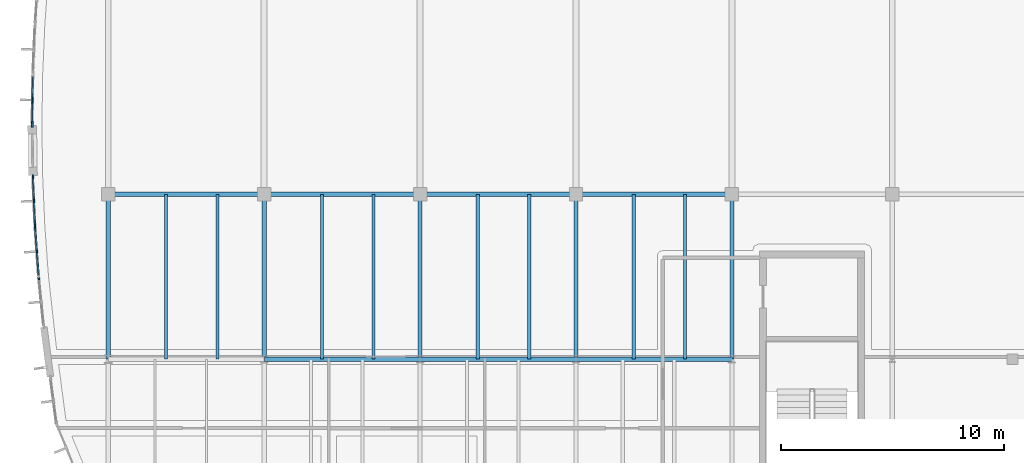
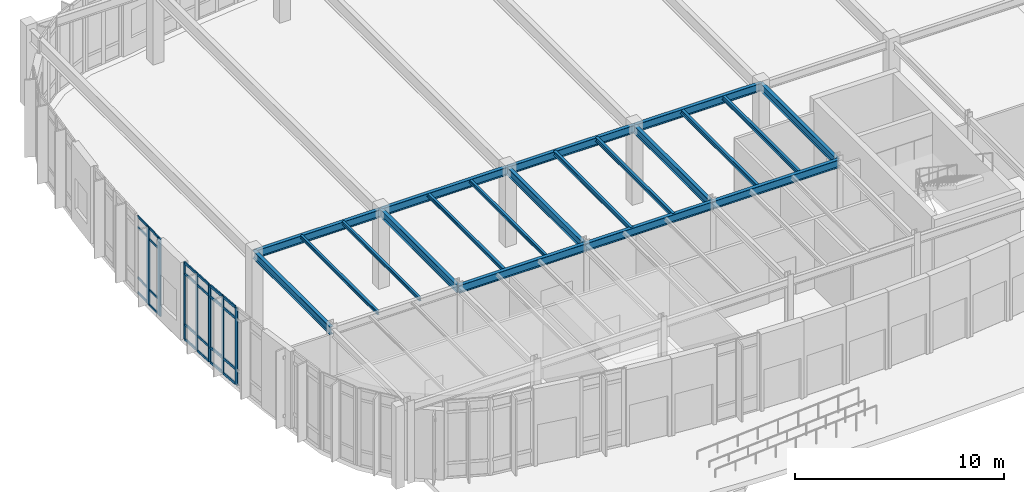
# One storey, part 40 of 120: 32 members, 20 beams, 4 elements without a shape of their own.
"""IFC4 building model written with IfcOpenShell, lengths in metres."""

from ifc_helpers import new_model, si_unit, direction, frame, origin, origin_2d, place, context, subcontext, project, spatial, rectangle, i_section, extrude, material, material_profile, profile_set, type_object, element, aggregate, save


model = new_model("IFC4")

# Units and contexts
model_context = context("Model", 3, precision=1e-05, world=origin(), true_north=direction((0.0, 1.0)))
body_context = subcontext(model_context, "Body", "Model", "MODEL_VIEW")
ifc_project = project(units=[si_unit("LENGTHUNIT", "METRE"), si_unit("AREAUNIT", "SQUARE_METRE"), si_unit("VOLUMEUNIT", "CUBIC_METRE"), si_unit("PLANEANGLEUNIT", "RADIAN"), si_unit("MASSUNIT", "GRAM", prefix="KILO")], contexts=[model_context])

# Site, building, storey
site_placement = place(None, origin())
site = spatial("IfcSite", under=ifc_project, at=site_placement, CompositionType="ELEMENT")
building_placement = place(site_placement, origin())
building = spatial("IfcBuilding", under=site, at=building_placement, Name="Corveleigh Park Community Centre", CompositionType="ELEMENT")
storey_placement = place(building_placement, origin())
storey = spatial("IfcBuildingStorey", under=building, at=storey_placement, Name="L00", CompositionType="ELEMENT", Elevation=0.0)

# Beams
ifc_material_1 = material(Name="Steel S355", Category="steel")
ifc_material_profile_1 = material_profile(ifc_material_1, i_section(OverallWidth=0.13330078125, OverallDepth=0.203125, WebThickness=0.005615234375, FlangeThickness=0.0078125, at=origin_2d()), Name="UKB 203x133x25", Category="steel")
ifc_profile_set_1 = profile_set([ifc_material_profile_1], Name="Steel S355")
beam_type_1 = type_object("IfcBeamType", Name="BM-STL-UKB203x25", PredefinedType="JOIST", material=ifc_profile_set_1)
for number, where, z_axis, x_axis, name in (
    (1, (13.7900390625, 85.405029296875, 4.410400390625), (0.0, 1.0, 0.0), (-1.0, 0.0, 0.0), "Secondary floor joist"),
    (2, (16.10009765625, 85.405029296875, 4.410400390625), (0.0, 1.0, 0.0), (-1.0, 0.0, 0.0), "Secondary floor joist"),
):
    element("IfcBeam", number, at=place(storey_placement, frame(where, z_axis=z_axis, x_axis=x_axis)), inside=storey, type_object=beam_type_1, Name=name, PredefinedType="JOIST", context=body_context, shape_type="SweptSolid", body=[
        extrude(i_section(OverallWidth=0.13330078125, OverallDepth=0.203125, WebThickness=0.005615234375, FlangeThickness=0.0078125, at=origin_2d()), origin(), (0.0, 0.0, 1.0), 7.389892578125),
    ])
ifc_material_profile_2 = material_profile(ifc_material_1, i_section(OverallWidth=0.1337890625, OverallDepth=0.206787109375, WebThickness=0.00634765625, FlangeThickness=0.009521484375, at=origin_2d()), Name="UKB 203x133x30", Category="steel")
ifc_profile_set_2 = profile_set([ifc_material_profile_2], Name="Steel S355")
beam_type_2 = type_object("IfcBeamType", Name="BM-STL-UKB203x30", PredefinedType="JOIST", material=ifc_profile_set_2)
for number, where, z_axis, x_axis, name in (
    (3, (20.7900390625, 85.405029296875, 4.423583984375), (0.0, 1.0, 0.0), (-1.0, 0.0, 0.0), "Secondary floor joist"),
    (4, (23.10009765625, 85.405029296875, 4.423583984375), (0.0, 1.0, 0.0), (-1.0, 0.0, 0.0), "Secondary floor joist"),
):
    element("IfcBeam", number, at=place(storey_placement, frame(where, z_axis=z_axis, x_axis=x_axis)), inside=storey, type_object=beam_type_2, Name=name, PredefinedType="JOIST", context=body_context, shape_type="SweptSolid", body=[
        extrude(i_section(OverallWidth=0.1337890625, OverallDepth=0.206787109375, WebThickness=0.00634765625, FlangeThickness=0.009521484375, at=origin_2d()), origin(), (0.0, 0.0, 1.0), 7.389892578125),
    ])
ifc_material_profile_3 = material_profile(ifc_material_1, i_section(OverallWidth=0.14599609375, OverallDepth=0.25146484375, WebThickness=0.006103515625, FlangeThickness=0.008544921875, at=origin_2d()), Name="UKB 254x146x31", Category="steel")
ifc_profile_set_3 = profile_set([ifc_material_profile_3], Name="Steel S355")
beam_type_3 = type_object("IfcBeamType", Name="BM-STL-UKB254x31", PredefinedType="JOIST", material=ifc_profile_set_3)
for number, where, z_axis, x_axis, name in (
    (5, (27.7900390625, 85.405029296875, 4.4013671875), (0.0, 1.0, 0.0), (-1.0, 0.0, 0.0), "Secondary floor joist"),
    (6, (30.10009765625, 85.405029296875, 4.4013671875), (0.0, 1.0, 0.0), (-1.0, 0.0, 0.0), "Secondary floor joist"),
):
    element("IfcBeam", number, at=place(storey_placement, frame(where, z_axis=z_axis, x_axis=x_axis)), inside=storey, type_object=beam_type_3, Name=name, PredefinedType="JOIST", context=body_context, shape_type="SweptSolid", body=[
        extrude(i_section(OverallWidth=0.14599609375, OverallDepth=0.25146484375, WebThickness=0.006103515625, FlangeThickness=0.008544921875, at=origin_2d()), origin(), (0.0, 0.0, 1.0), 7.389892578125),
    ])
ifc_material_profile_4 = material_profile(ifc_material_1, i_section(OverallWidth=0.146484375, OverallDepth=0.256103515625, WebThickness=0.00634765625, FlangeThickness=0.010986328125, at=origin_2d()), Name="UKB 254x146x37", Category="steel")
ifc_profile_set_4 = profile_set([ifc_material_profile_4], Name="Steel S355")
beam_type_4 = type_object("IfcBeamType", Name="BM-STL-UKB254x37", PredefinedType="JOIST", material=ifc_profile_set_4)
for number, where, z_axis, x_axis, name in (
    (7, (34.7900390625, 85.405029296875, 4.39892578125), (0.0, 1.0, 0.0), (-1.0, 0.0, 0.0), "Secondary floor joist"),
    (8, (37.10009765625, 85.405029296875, 4.39892578125), (0.0, 1.0, 0.0), (-1.0, 0.0, 0.0), "Secondary floor joist"),
):
    element("IfcBeam", number, at=place(storey_placement, frame(where, z_axis=z_axis, x_axis=x_axis)), inside=storey, type_object=beam_type_4, Name=name, PredefinedType="JOIST", context=body_context, shape_type="SweptSolid", body=[
        extrude(i_section(OverallWidth=0.146484375, OverallDepth=0.256103515625, WebThickness=0.00634765625, FlangeThickness=0.010986328125, at=origin_2d()), origin(), (0.0, 0.0, 1.0), 7.389892578125),
    ])
ifc_material_profile_5 = material_profile(ifc_material_1, i_section(OverallWidth=0.1904296875, OverallDepth=0.45703125, WebThickness=0.009033203125, FlangeThickness=0.014404296875, at=origin_2d()), Name="UKB 457x191x74", Category="steel")
ifc_profile_set_5 = profile_set([ifc_material_profile_5], Name="Steel S355")
beam_type_5 = type_object("IfcBeamType", Name="BM-STL-UKB457x74", PredefinedType="BEAM", material=ifc_profile_set_5)
for number, where, z_axis, x_axis, name in (
    (9, (11.199951171875, 85.405029296875, 4.298583984375), (0.0, 1.0, 0.0), (-1.0, 0.0, 0.0), "V2 Studio Girder Y"),
    (10, (18.199951171875, 85.405029296875, 4.298583984375), (0.0, 1.0, 0.0), (-1.0, 0.0, 0.0), "V2 Studio Girder Y"),
    (11, (25.199951171875, 85.405029296875, 4.298583984375), (0.0, 1.0, 0.0), (-1.0, 0.0, 0.0), "V2 Studio Girder Y"),
    (12, (32.199951171875, 85.405029296875, 4.298583984375), (0.0, 1.0, 0.0), (-1.0, 0.0, 0.0), "V2 Studio Girder Y"),
    (13, (39.199951171875, 85.405029296875, 4.298583984375), (0.0, 1.0, 0.0), (-1.0, 0.0, 0.0), "V2 Studio Girder Y"),
):
    element("IfcBeam", number, at=place(storey_placement, frame(where, z_axis=z_axis, x_axis=x_axis)), inside=storey, type_object=beam_type_5, Name=name, PredefinedType="BEAM", context=body_context, shape_type="SweptSolid", body=[
        extrude(i_section(OverallWidth=0.1904296875, OverallDepth=0.45703125, WebThickness=0.009033203125, FlangeThickness=0.014404296875, at=origin_2d()), origin(), (0.0, 0.0, 1.0), 7.389892578125),
    ])
ifc_material_profile_6 = material_profile(ifc_material_1, i_section(OverallWidth=0.19140625, OverallDepth=0.4599609375, WebThickness=0.010009765625, FlangeThickness=0.01611328125, at=origin_2d()), Name="UKB 457x191x82", Category="steel")
ifc_profile_set_6 = profile_set([ifc_material_profile_6], Name="Steel S355")
beam_type_6 = type_object("IfcBeamType", Name="BM-STL-UKB457x82", PredefinedType="BEAM", material=ifc_profile_set_6)
for number, where, z_axis, x_axis, name in (
    (14, (18.205078125, 85.39990234375, 4.297119140625), (1.0, 0.0, 0.0), (0.0, 1.0, 0.0), "V2 Studio Girder X"),
    (15, (25.205078125, 85.39990234375, 4.297119140625), (1.0, 0.0, 0.0), (0.0, 1.0, 0.0), "V2 Studio Girder X"),
    (16, (32.205078125, 85.39990234375, 4.297119140625), (1.0, 0.0, 0.0), (0.0, 1.0, 0.0), "V2 Studio Girder X"),
    (17, (11.205078125, 92.800048828125, 4.281982421875), (1.0, 0.0, 0.0), (0.0, 1.0, 0.0), "V2 Studio Girder X"),
    (18, (18.205078125, 92.800048828125, 4.297119140625), (1.0, 0.0, 0.0), (0.0, 1.0, 0.0), "V2 Studio Girder X"),
    (19, (25.205078125, 92.800048828125, 4.297119140625), (1.0, 0.0, 0.0), (0.0, 1.0, 0.0), "V2 Studio Girder X"),
    (20, (32.205078125, 92.800048828125, 4.297119140625), (1.0, 0.0, 0.0), (0.0, 1.0, 0.0), "V2 Studio Girder X"),
):
    element("IfcBeam", number, at=place(storey_placement, frame(where, z_axis=z_axis, x_axis=x_axis)), inside=storey, type_object=beam_type_6, Name=name, PredefinedType="BEAM", context=body_context, shape_type="SweptSolid", body=[
        extrude(i_section(OverallWidth=0.19140625, OverallDepth=0.4599609375, WebThickness=0.010009765625, FlangeThickness=0.01611328125, at=origin_2d()), origin(), (0.0, 0.0, 1.0), 6.989990234375),
    ])

# Curtain wall, members
ifc_material_2 = material(Name="Anodised aluminium 6063-T6", Category="aluminium")
curtain_wall_type = type_object("IfcCurtainWallType", Name="CW-SYS-V2-L00", PredefinedType="NOTDEFINED", material=ifc_material_2)
curtain_wall_1_placement = place(storey_placement, origin())
curtain_wall_1 = element("IfcCurtainWall", 21, at=curtain_wall_1_placement, inside=storey, type_object=curtain_wall_type, Name="V2 L00 Curtain Wall 67", PredefinedType="NOTDEFINED")
ifc_material_profile_7 = material_profile(ifc_material_2, rectangle(XDim=0.06005859375, YDim=0.159912109375, at=origin_2d()), Name="ALU-M60x160", Category="aluminium")
ifc_profile_set_7 = profile_set([ifc_material_profile_7], Name="Anodised aluminium 6063-T6")
member_type_1 = type_object("IfcMemberType", Name="CWM-60x160", PredefinedType="MULLION", material=ifc_profile_set_7)
member_1_placement = place(storey_placement, frame((7.90966796875, 91.406005859375, 0.0), z_axis=(0.0, 0.0, 1.0), x_axis=(-0.99905027695, -0.043572286221, 0.0)))
member_1 = element("IfcMember", 22, at=member_1_placement, type_object=member_type_1, Name="CW03 mullion 1", PredefinedType="MULLION", context=body_context, shape_type="SweptSolid", body=[
    extrude(rectangle(XDim=0.06005859375, YDim=0.159912109375, at=origin_2d()), origin(), (0.0, 0.0, 1.0), 4.511962890625),
])
member_2_placement = place(storey_placement, frame((7.862060546875, 92.49951171875, 0.0), z_axis=(0.0, 0.0, 1.0), x_axis=(-0.99905027695, -0.043572286221, 0.0)))
member_2 = element("IfcMember", 23, at=member_2_placement, type_object=member_type_1, Name="CW03 mullion 2", PredefinedType="MULLION", context=body_context, shape_type="SweptSolid", body=[
    extrude(rectangle(XDim=0.06005859375, YDim=0.159912109375, at=origin_2d()), origin(), (0.0, 0.0, 1.0), 4.511962890625),
])
member_3_placement = place(storey_placement, frame((7.814208984375, 93.593017578125, 0.0), z_axis=(0.0, 0.0, 1.0), x_axis=(-0.99905027695, -0.043572286221, 0.0)))
member_3 = element("IfcMember", 24, at=member_3_placement, type_object=member_type_1, Name="CW03 mullion 3", PredefinedType="MULLION", context=body_context, shape_type="SweptSolid", body=[
    extrude(rectangle(XDim=0.06005859375, YDim=0.159912109375, at=origin_2d()), origin(), (0.0, 0.0, 1.0), 4.511962890625),
])

curtain_wall_2_placement = place(storey_placement, origin())
curtain_wall_2 = element("IfcCurtainWall", 25, at=curtain_wall_2_placement, inside=storey, type_object=curtain_wall_type, Name="V2 L00 Curtain Wall 68", PredefinedType="NOTDEFINED")
ifc_material_profile_8 = material_profile(ifc_material_2, rectangle(XDim=0.06494140625, YDim=0.179931640625, at=origin_2d()), Name="ALU-M65x180", Category="aluminium")
ifc_profile_set_8 = profile_set([ifc_material_profile_8], Name="Anodised aluminium 6063-T6")
member_type_2 = type_object("IfcMemberType", Name="CWM-65x180", PredefinedType="MULLION", material=ifc_profile_set_8)
member_4_placement = place(storey_placement, frame((7.992919921875, 90.236083984375, 0.0), z_axis=(0.0, 0.0, 1.0), x_axis=(-0.997404262381, -0.072005120539, 0.0)))
member_4 = element("IfcMember", 26, at=member_4_placement, type_object=member_type_2, Name="CW03 mullion 2", PredefinedType="MULLION", context=body_context, shape_type="SweptSolid", body=[
    extrude(rectangle(XDim=0.06494140625, YDim=0.179931640625, at=origin_2d()), origin(), (0.0, 0.0, 1.0), 4.511962890625),
])
member_5_placement = place(storey_placement, frame((7.914306640625, 91.32568359375, 0.0), z_axis=(0.0, 0.0, 1.0), x_axis=(-0.997404262381, -0.072005120539, 0.0)))
member_5 = element("IfcMember", 27, at=member_5_placement, type_object=member_type_2, Name="CW03 mullion 3", PredefinedType="MULLION", context=body_context, shape_type="SweptSolid", body=[
    extrude(rectangle(XDim=0.06494140625, YDim=0.179931640625, at=origin_2d()), origin(), (0.0, 0.0, 1.0), 4.511962890625),
])

# Curtain wall, member
curtain_wall_3_placement = place(storey_placement, origin())
curtain_wall_3 = element("IfcCurtainWall", 28, at=curtain_wall_3_placement, inside=storey, type_object=curtain_wall_type, Name="V2 L00 Curtain Wall 69", PredefinedType="NOTDEFINED")
ifc_material_profile_9 = material_profile(ifc_material_2, rectangle(XDim=0.070068359375, YDim=0.199951171875, at=origin_2d()), Name="ALU-M70x200", Category="aluminium")
ifc_profile_set_9 = profile_set([ifc_material_profile_9], Name="Anodised aluminium 6063-T6")
member_type_3 = type_object("IfcMemberType", Name="CWM-70x200", PredefinedType="MULLION", material=ifc_profile_set_9)
member_6_placement = place(storey_placement, frame((8.07958984375, 89.061279296875, 0.0), z_axis=(0.0, 0.0, 1.0), x_axis=(-0.9948506205, -0.101352073938, 0.0)))
member_6 = element("IfcMember", 29, at=member_6_placement, type_object=member_type_3, Name="CW03 mullion 3", PredefinedType="MULLION", context=body_context, shape_type="SweptSolid", body=[
    extrude(rectangle(XDim=0.070068359375, YDim=0.199951171875, at=origin_2d()), origin(), (0.0, 0.0, 1.0), 4.511962890625),
])
aggregate(curtain_wall_3, [member_6])

# Curtain wall, members
curtain_wall_4_placement = place(storey_placement, origin())
curtain_wall_4 = element("IfcCurtainWall", 30, at=curtain_wall_4_placement, inside=storey, type_object=curtain_wall_type, Name="V2 L00 Curtain Wall 66", PredefinedType="NOTDEFINED")
ifc_material_profile_10 = material_profile(ifc_material_2, rectangle(XDim=0.0849609375, YDim=0.27490234375, at=origin_2d()), Name="ALU-M85x275", Category="aluminium")
ifc_profile_set_10 = profile_set([ifc_material_profile_10], Name="Anodised aluminium 6063-T6")
member_type_4 = type_object("IfcMemberType", Name="CWM-85x275", PredefinedType="MULLION", material=ifc_profile_set_10)
member_7_placement = place(storey_placement, frame((7.780517578125, 95.951416015625, 0.0), z_axis=(0.0, 0.0, 1.0), x_axis=(-0.999892461794, 0.014665089441, 0.0)))
member_7 = element("IfcMember", 31, at=member_7_placement, type_object=member_type_4, Name="CW03 mullion 1", PredefinedType="MULLION", context=body_context, shape_type="SweptSolid", body=[
    extrude(rectangle(XDim=0.0849609375, YDim=0.27490234375, at=origin_2d()), origin(), (0.0, 0.0, 1.0), 4.511962890625),
])
member_8_placement = place(storey_placement, frame((7.79638671875, 97.033935546875, 0.0), z_axis=(0.0, 0.0, 1.0), x_axis=(-0.999892461794, 0.014665089441, 0.0)))
member_8 = element("IfcMember", 32, at=member_8_placement, type_object=member_type_4, Name="CW03 mullion 2", PredefinedType="MULLION", context=body_context, shape_type="SweptSolid", body=[
    extrude(rectangle(XDim=0.0849609375, YDim=0.27490234375, at=origin_2d()), origin(), (0.0, 0.0, 1.0), 4.511962890625),
])
ifc_material_profile_11 = material_profile(ifc_material_2, rectangle(XDim=0.06005859375, YDim=0.1201171875, at=origin_2d()), Name="ALU-T60x120", Category="aluminium")
ifc_profile_set_11 = profile_set([ifc_material_profile_11], Name="Anodised aluminium 6063-T6")
member_type_5 = type_object("IfcMemberType", Name="CWT-60x120", PredefinedType="USERDEFINED", material=ifc_profile_set_11)
member_9_placement = place(storey_placement, frame((7.78125, 95.993896484375, 0.030029296875), z_axis=(0.014682704894, 0.999892203278, 0.0), x_axis=(-0.999892203278, 0.014682704894, 0.0)))
member_9 = element("IfcMember", 33, at=member_9_placement, type_object=member_type_5, Name="CW03 transom 1.1", ObjectType="TRANSOM", PredefinedType="USERDEFINED", context=body_context, shape_type="SweptSolid", body=[
    extrude(rectangle(XDim=0.06005859375, YDim=0.1201171875, at=origin_2d()), origin(), (0.0, 0.0, 1.0), 0.99755859375),
])
member_10_placement = place(storey_placement, frame((7.78125, 95.993896484375, 0.89990234375), z_axis=(0.014682704894, 0.999892203278, 0.0), x_axis=(-0.999892203278, 0.014682704894, 0.0)))
member_10 = element("IfcMember", 34, at=member_10_placement, type_object=member_type_5, Name="CW03 transom 1.2", ObjectType="TRANSOM", PredefinedType="USERDEFINED", context=body_context, shape_type="SweptSolid", body=[
    extrude(rectangle(XDim=0.06005859375, YDim=0.1201171875, at=origin_2d()), origin(), (0.0, 0.0, 1.0), 0.99755859375),
])
member_11_placement = place(storey_placement, frame((7.78125, 95.993896484375, 3.862060546875), z_axis=(0.014682704894, 0.999892203278, 0.0), x_axis=(-0.999892203278, 0.014682704894, 0.0)))
member_11 = element("IfcMember", 35, at=member_11_placement, type_object=member_type_5, Name="CW03 transom 1.3", ObjectType="TRANSOM", PredefinedType="USERDEFINED", context=body_context, shape_type="SweptSolid", body=[
    extrude(rectangle(XDim=0.06005859375, YDim=0.1201171875, at=origin_2d()), origin(), (0.0, 0.0, 1.0), 0.99755859375),
])
member_12_placement = place(storey_placement, frame((7.78125, 95.993896484375, 4.48193359375), z_axis=(0.014682704894, 0.999892203278, 0.0), x_axis=(-0.999892203278, 0.014682704894, 0.0)))
member_12 = element("IfcMember", 36, at=member_12_placement, type_object=member_type_5, Name="CW03 transom 1.4", ObjectType="TRANSOM", PredefinedType="USERDEFINED", context=body_context, shape_type="SweptSolid", body=[
    extrude(rectangle(XDim=0.06005859375, YDim=0.1201171875, at=origin_2d()), origin(), (0.0, 0.0, 1.0), 0.99755859375),
])
member_13_placement = place(storey_placement, frame((7.797119140625, 97.076416015625, 0.030029296875), z_axis=(0.014682704894, 0.999892203278, 0.0), x_axis=(-0.999892203278, 0.014682704894, 0.0)))
member_13 = element("IfcMember", 37, at=member_13_placement, type_object=member_type_5, Name="CW03 transom 2.1", ObjectType="TRANSOM", PredefinedType="USERDEFINED", context=body_context, shape_type="SweptSolid", body=[
    extrude(rectangle(XDim=0.06005859375, YDim=0.1201171875, at=origin_2d()), origin(), (0.0, 0.0, 1.0), 0.99755859375),
])
member_14_placement = place(storey_placement, frame((7.797119140625, 97.076416015625, 0.89990234375), z_axis=(0.014682704894, 0.999892203278, 0.0), x_axis=(-0.999892203278, 0.014682704894, 0.0)))
member_14 = element("IfcMember", 38, at=member_14_placement, type_object=member_type_5, Name="CW03 transom 2.2", ObjectType="TRANSOM", PredefinedType="USERDEFINED", context=body_context, shape_type="SweptSolid", body=[
    extrude(rectangle(XDim=0.06005859375, YDim=0.1201171875, at=origin_2d()), origin(), (0.0, 0.0, 1.0), 0.99755859375),
])
member_15_placement = place(storey_placement, frame((7.797119140625, 97.076416015625, 3.862060546875), z_axis=(0.014682704894, 0.999892203278, 0.0), x_axis=(-0.999892203278, 0.014682704894, 0.0)))
member_15 = element("IfcMember", 39, at=member_15_placement, type_object=member_type_5, Name="CW03 transom 2.3", ObjectType="TRANSOM", PredefinedType="USERDEFINED", context=body_context, shape_type="SweptSolid", body=[
    extrude(rectangle(XDim=0.06005859375, YDim=0.1201171875, at=origin_2d()), origin(), (0.0, 0.0, 1.0), 0.99755859375),
])
member_16_placement = place(storey_placement, frame((7.797119140625, 97.076416015625, 4.48193359375), z_axis=(0.014682704894, 0.999892203278, 0.0), x_axis=(-0.999892203278, 0.014682704894, 0.0)))
member_16 = element("IfcMember", 40, at=member_16_placement, type_object=member_type_5, Name="CW03 transom 2.4", ObjectType="TRANSOM", PredefinedType="USERDEFINED", context=body_context, shape_type="SweptSolid", body=[
    extrude(rectangle(XDim=0.06005859375, YDim=0.1201171875, at=origin_2d()), origin(), (0.0, 0.0, 1.0), 0.99755859375),
])
aggregate(curtain_wall_4, [member_7, member_8, member_9, member_10, member_11, member_12, member_13, member_14, member_15, member_16])

# Member
ifc_material_profile_12 = material_profile(ifc_material_2, rectangle(XDim=0.06494140625, YDim=0.139892578125, at=origin_2d()), Name="ALU-T65x140", Category="aluminium")
ifc_profile_set_12 = profile_set([ifc_material_profile_12], Name="Anodised aluminium 6063-T6")
member_type_6 = type_object("IfcMemberType", Name="CWT-65x140", PredefinedType="USERDEFINED", material=ifc_profile_set_12)
member_17_placement = place(storey_placement, frame((7.908447265625, 91.43603515625, 0.032470703125), z_axis=(-0.043662549536, 0.999046336147, 0.0), x_axis=(-0.999046336147, -0.043662549536, 0.0)))
member_17 = element("IfcMember", 41, at=member_17_placement, type_object=member_type_6, Name="CW03 transom 1.1", ObjectType="TRANSOM", PredefinedType="USERDEFINED", context=body_context, shape_type="SweptSolid", body=[
    extrude(rectangle(XDim=0.06494140625, YDim=0.139892578125, at=origin_2d()), origin(), (0.0, 0.0, 1.0), 1.034423828125),
])

member_18_placement = place(storey_placement, frame((7.908447265625, 91.43603515625, 0.89990234375), z_axis=(-0.043662549536, 0.999046336147, 0.0), x_axis=(-0.999046336147, -0.043662549536, 0.0)))
member_18 = element("IfcMember", 42, at=member_18_placement, type_object=member_type_6, Name="CW03 transom 1.2", ObjectType="TRANSOM", PredefinedType="USERDEFINED", context=body_context, shape_type="SweptSolid", body=[
    extrude(rectangle(XDim=0.06494140625, YDim=0.139892578125, at=origin_2d()), origin(), (0.0, 0.0, 1.0), 1.034423828125),
])

member_19_placement = place(storey_placement, frame((7.908447265625, 91.43603515625, 3.862060546875), z_axis=(-0.043662549536, 0.999046336147, 0.0), x_axis=(-0.999046336147, -0.043662549536, 0.0)))
member_19 = element("IfcMember", 43, at=member_19_placement, type_object=member_type_6, Name="CW03 transom 1.3", ObjectType="TRANSOM", PredefinedType="USERDEFINED", context=body_context, shape_type="SweptSolid", body=[
    extrude(rectangle(XDim=0.06494140625, YDim=0.139892578125, at=origin_2d()), origin(), (0.0, 0.0, 1.0), 1.034423828125),
])

member_20_placement = place(storey_placement, frame((7.908447265625, 91.43603515625, 4.4794921875), z_axis=(-0.043662549536, 0.999046336147, 0.0), x_axis=(-0.999046336147, -0.043662549536, 0.0)))
member_20 = element("IfcMember", 44, at=member_20_placement, type_object=member_type_6, Name="CW03 transom 1.4", ObjectType="TRANSOM", PredefinedType="USERDEFINED", context=body_context, shape_type="SweptSolid", body=[
    extrude(rectangle(XDim=0.06494140625, YDim=0.139892578125, at=origin_2d()), origin(), (0.0, 0.0, 1.0), 1.034423828125),
])

member_21_placement = place(storey_placement, frame((7.860595703125, 92.529541015625, 0.032470703125), z_axis=(-0.043426982061, 0.999056603616, 0.0), x_axis=(-0.999056603616, -0.043426982061, 0.0)))
member_21 = element("IfcMember", 45, at=member_21_placement, type_object=member_type_6, Name="CW03 transom 2.1", ObjectType="TRANSOM", PredefinedType="USERDEFINED", context=body_context, shape_type="SweptSolid", body=[
    extrude(rectangle(XDim=0.06494140625, YDim=0.139892578125, at=origin_2d()), origin(), (0.0, 0.0, 1.0), 1.034423828125),
])

member_22_placement = place(storey_placement, frame((7.860595703125, 92.529541015625, 0.89990234375), z_axis=(-0.043426982061, 0.999056603616, 0.0), x_axis=(-0.999056603616, -0.043426982061, 0.0)))
member_22 = element("IfcMember", 46, at=member_22_placement, type_object=member_type_6, Name="CW03 transom 2.2", ObjectType="TRANSOM", PredefinedType="USERDEFINED", context=body_context, shape_type="SweptSolid", body=[
    extrude(rectangle(XDim=0.06494140625, YDim=0.139892578125, at=origin_2d()), origin(), (0.0, 0.0, 1.0), 1.034423828125),
])

member_23_placement = place(storey_placement, frame((7.860595703125, 92.529541015625, 3.862060546875), z_axis=(-0.043426982061, 0.999056603616, 0.0), x_axis=(-0.999056603616, -0.043426982061, 0.0)))
member_23 = element("IfcMember", 47, at=member_23_placement, type_object=member_type_6, Name="CW03 transom 2.3", ObjectType="TRANSOM", PredefinedType="USERDEFINED", context=body_context, shape_type="SweptSolid", body=[
    extrude(rectangle(XDim=0.06494140625, YDim=0.139892578125, at=origin_2d()), origin(), (0.0, 0.0, 1.0), 1.034423828125),
])

member_24_placement = place(storey_placement, frame((7.860595703125, 92.529541015625, 4.4794921875), z_axis=(-0.043426982061, 0.999056603616, 0.0), x_axis=(-0.999056603616, -0.043426982061, 0.0)))
member_24 = element("IfcMember", 48, at=member_24_placement, type_object=member_type_6, Name="CW03 transom 2.4", ObjectType="TRANSOM", PredefinedType="USERDEFINED", context=body_context, shape_type="SweptSolid", body=[
    extrude(rectangle(XDim=0.06494140625, YDim=0.139892578125, at=origin_2d()), origin(), (0.0, 0.0, 1.0), 1.034423828125),
])

aggregate(curtain_wall_1, [member_1, member_2, member_3, member_17, member_18, member_19, member_20, member_21, member_22, member_23, member_24])

ifc_material_profile_13 = material_profile(ifc_material_2, rectangle(XDim=0.070068359375, YDim=0.155029296875, at=origin_2d()), Name="ALU-T70x155", Category="aluminium")
ifc_profile_set_13 = profile_set([ifc_material_profile_13], Name="Anodised aluminium 6063-T6")
member_type_7 = type_object("IfcMemberType", Name="CWT-70x155", PredefinedType="USERDEFINED", material=ifc_profile_set_13)
member_25_placement = place(storey_placement, frame((8.0693359375, 89.1787109375, 0.034912109375), z_axis=(-0.071989953131, 0.997405357239, 0.0), x_axis=(-0.997405357239, -0.071989953131, 0.0)))
member_25 = element("IfcMember", 49, at=member_25_placement, type_object=member_type_7, Name="CW03 transom 1.1", ObjectType="TRANSOM", PredefinedType="USERDEFINED", context=body_context, shape_type="SweptSolid", body=[
    extrude(rectangle(XDim=0.070068359375, YDim=0.155029296875, at=origin_2d()), origin(), (0.0, 0.0, 1.0), 1.027587890625),
])

member_26_placement = place(storey_placement, frame((8.0693359375, 89.1787109375, 0.89990234375), z_axis=(-0.071989953131, 0.997405357239, 0.0), x_axis=(-0.997405357239, -0.071989953131, 0.0)))
member_26 = element("IfcMember", 50, at=member_26_placement, type_object=member_type_7, Name="CW03 transom 1.2", ObjectType="TRANSOM", PredefinedType="USERDEFINED", context=body_context, shape_type="SweptSolid", body=[
    extrude(rectangle(XDim=0.070068359375, YDim=0.155029296875, at=origin_2d()), origin(), (0.0, 0.0, 1.0), 1.027587890625),
])

member_27_placement = place(storey_placement, frame((8.0693359375, 89.1787109375, 3.862060546875), z_axis=(-0.071989953131, 0.997405357239, 0.0), x_axis=(-0.997405357239, -0.071989953131, 0.0)))
member_27 = element("IfcMember", 51, at=member_27_placement, type_object=member_type_7, Name="CW03 transom 1.3", ObjectType="TRANSOM", PredefinedType="USERDEFINED", context=body_context, shape_type="SweptSolid", body=[
    extrude(rectangle(XDim=0.070068359375, YDim=0.155029296875, at=origin_2d()), origin(), (0.0, 0.0, 1.0), 1.027587890625),
])

member_28_placement = place(storey_placement, frame((8.0693359375, 89.1787109375, 4.47705078125), z_axis=(-0.071989953131, 0.997405357239, 0.0), x_axis=(-0.997405357239, -0.071989953131, 0.0)))
member_28 = element("IfcMember", 52, at=member_28_placement, type_object=member_type_7, Name="CW03 transom 1.4", ObjectType="TRANSOM", PredefinedType="USERDEFINED", context=body_context, shape_type="SweptSolid", body=[
    extrude(rectangle(XDim=0.070068359375, YDim=0.155029296875, at=origin_2d()), origin(), (0.0, 0.0, 1.0), 1.027587890625),
])

member_29_placement = place(storey_placement, frame((7.99072265625, 90.268310546875, 0.034912109375), z_axis=(-0.071989953131, 0.997405357239, 0.0), x_axis=(-0.997405357239, -0.071989953131, 0.0)))
member_29 = element("IfcMember", 53, at=member_29_placement, type_object=member_type_7, Name="CW03 transom 2.1", ObjectType="TRANSOM", PredefinedType="USERDEFINED", context=body_context, shape_type="SweptSolid", body=[
    extrude(rectangle(XDim=0.070068359375, YDim=0.155029296875, at=origin_2d()), origin(), (0.0, 0.0, 1.0), 1.027587890625),
])

member_30_placement = place(storey_placement, frame((7.99072265625, 90.268310546875, 0.89990234375), z_axis=(-0.071989953131, 0.997405357239, 0.0), x_axis=(-0.997405357239, -0.071989953131, 0.0)))
member_30 = element("IfcMember", 54, at=member_30_placement, type_object=member_type_7, Name="CW03 transom 2.2", ObjectType="TRANSOM", PredefinedType="USERDEFINED", context=body_context, shape_type="SweptSolid", body=[
    extrude(rectangle(XDim=0.070068359375, YDim=0.155029296875, at=origin_2d()), origin(), (0.0, 0.0, 1.0), 1.027587890625),
])

member_31_placement = place(storey_placement, frame((7.99072265625, 90.268310546875, 3.862060546875), z_axis=(-0.071989953131, 0.997405357239, 0.0), x_axis=(-0.997405357239, -0.071989953131, 0.0)))
member_31 = element("IfcMember", 55, at=member_31_placement, type_object=member_type_7, Name="CW03 transom 2.3", ObjectType="TRANSOM", PredefinedType="USERDEFINED", context=body_context, shape_type="SweptSolid", body=[
    extrude(rectangle(XDim=0.070068359375, YDim=0.155029296875, at=origin_2d()), origin(), (0.0, 0.0, 1.0), 1.027587890625),
])

member_32_placement = place(storey_placement, frame((7.99072265625, 90.268310546875, 4.47705078125), z_axis=(-0.071989953131, 0.997405357239, 0.0), x_axis=(-0.997405357239, -0.071989953131, 0.0)))
member_32 = element("IfcMember", 56, at=member_32_placement, type_object=member_type_7, Name="CW03 transom 2.4", ObjectType="TRANSOM", PredefinedType="USERDEFINED", context=body_context, shape_type="SweptSolid", body=[
    extrude(rectangle(XDim=0.070068359375, YDim=0.155029296875, at=origin_2d()), origin(), (0.0, 0.0, 1.0), 1.027587890625),
])

aggregate(curtain_wall_2, [member_4, member_5, member_25, member_26, member_27, member_28, member_29, member_30, member_31, member_32])

save(model, "model.ifc")
